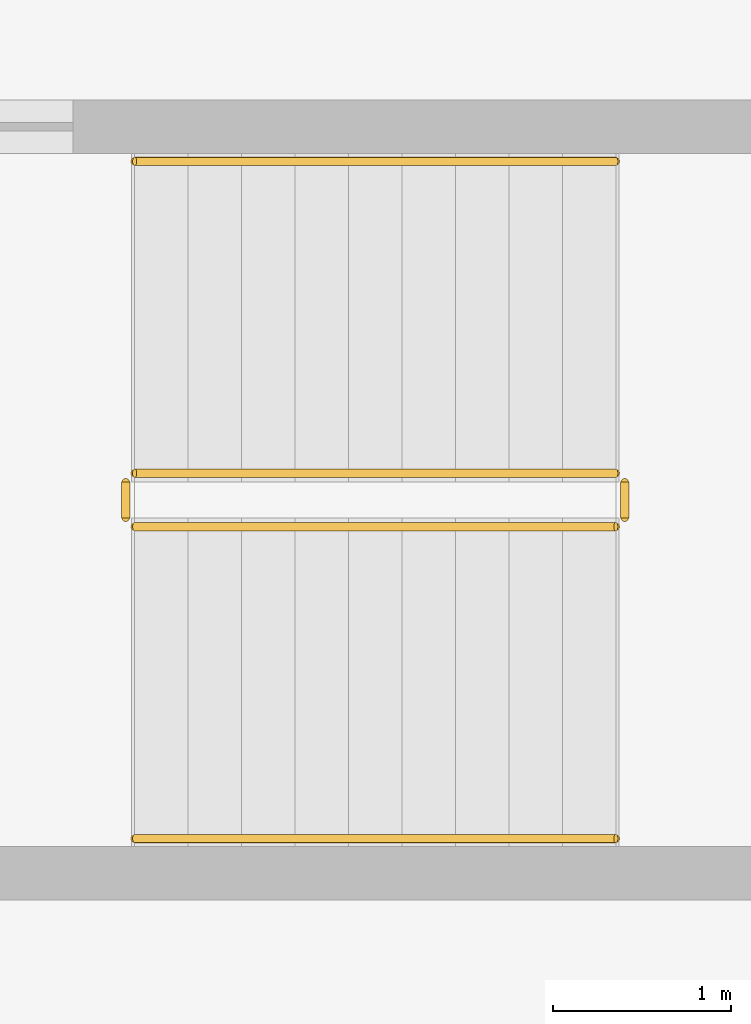
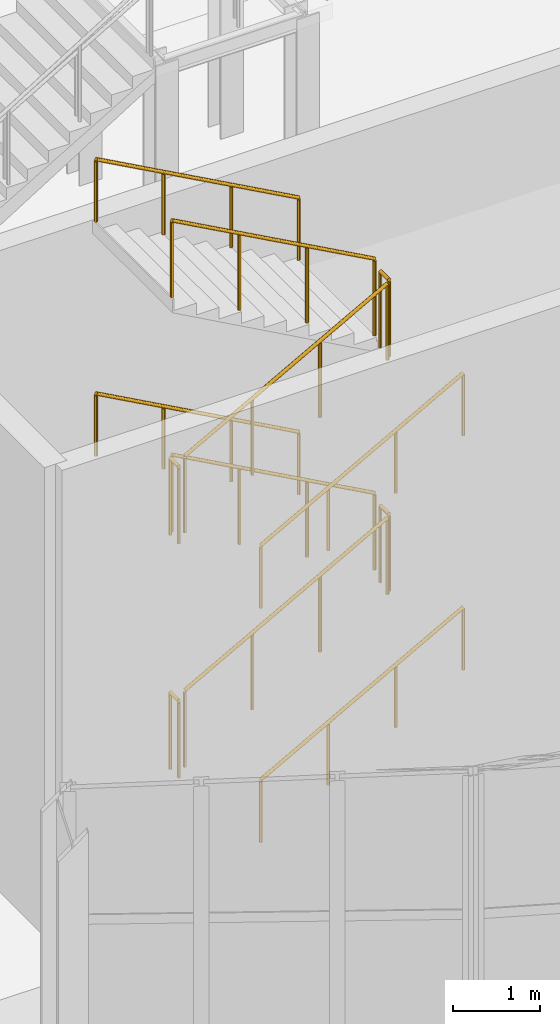
# One storey, part 100 of 115: 12 railings.
"""IFC4 building model written with IfcOpenShell, lengths in metres."""

from ifc_helpers import new_model, si_unit, direction, frame, origin, origin_2d, place, context, subcontext, project, spatial, circle, extrude, material, type_object, element, save


model = new_model("IFC4")

# Units and contexts
model_context = context("Model", 3, precision=1e-05, world=origin(), true_north=direction((0.0, 1.0)))
body_context = subcontext(model_context, "Body", "Model", "MODEL_VIEW")
ifc_project = project(units=[si_unit("LENGTHUNIT", "METRE"), si_unit("AREAUNIT", "SQUARE_METRE"), si_unit("VOLUMEUNIT", "CUBIC_METRE"), si_unit("PLANEANGLEUNIT", "RADIAN"), si_unit("MASSUNIT", "GRAM", prefix="KILO")], contexts=[model_context])

# Site, building, storey
site_placement = place(None, origin())
site = spatial("IfcSite", under=ifc_project, at=site_placement, CompositionType="ELEMENT")
building_placement = place(site_placement, origin())
building = spatial("IfcBuilding", under=site, at=building_placement, Name="Tamarisk Ironworks Central Station", CompositionType="ELEMENT")
storey_placement = place(building_placement, origin())
storey = spatial("IfcBuildingStorey", under=building, at=storey_placement, Name="L00", CompositionType="ELEMENT", Elevation=0.0)

# Railings
ifc_material = material(Name="Brushed stainless steel AISI 316", Category="steel")
railing_type_1 = type_object("IfcRailingType", Name="RL-GUARD-INT", PredefinedType="BALUSTRADE", material=ifc_material)
railing_1_placement = place(storey_placement, frame((58.199951171875, 15.300048828125, 0.1650390625)))
element("IfcRailing", 1, at=railing_1_placement, inside=storey, type_object=railing_type_1, Name="L00 ST-C8 stair guard 1", PredefinedType="BALUSTRADE", context=body_context, shape_type="SweptSolid", body=[
    extrude(circle(Radius=0.02392578125, at=origin_2d()), frame((0.0, 0.0, 1.076171875), z_axis=(0.876230963923, 0.0, 0.481891375584), x_axis=(0.0, 1.0, 0.0)), (0.0, 0.0, 1.0), 3.081298828125),
    extrude(circle(Radius=0.02099609375, at=origin_2d()), origin(), (0.0, 0.0, 1.0), 1.052001953125),
    extrude(circle(Radius=0.02099609375, at=origin_2d()), frame((0.89990234375, 0.0, 0.494873046875)), (0.0, 0.0, 1.0), 1.052001953125),
    extrude(circle(Radius=0.02099609375, at=origin_2d()), frame((1.800048828125, 0.0, 0.989990234375)), (0.0, 0.0, 1.0), 1.052001953125),
    extrude(circle(Radius=0.02099609375, at=origin_2d()), frame((2.699951171875, 0.0, 1.48486328125)), (0.0, 0.0, 1.0), 1.052001953125),
])
railing_2_placement = place(storey_placement, frame((60.949951171875, 15.35009765625, 1.64990234375)))
element("IfcRailing", 2, at=railing_2_placement, inside=storey, type_object=railing_type_1, Name="L00 ST-C8 stair guard 2", PredefinedType="BALUSTRADE", context=body_context, shape_type="SweptSolid", body=[
    extrude(circle(Radius=0.02392578125, at=origin_2d()), frame((0.0, 0.0, 1.076171875), z_axis=(0.0, 1.0, 0.0), x_axis=(-1.0, 0.0, 0.0)), (0.0, 0.0, 1.0), 0.199951171875),
    extrude(circle(Radius=0.02099609375, at=origin_2d()), origin(), (0.0, 0.0, 1.0), 1.052001953125),
    extrude(circle(Radius=0.02099609375, at=origin_2d()), frame((0.0, 0.199951171875, 0.0)), (0.0, 0.0, 1.0), 1.052001953125),
])
railing_3_placement = place(storey_placement, frame((60.89990234375, 15.60009765625, 1.81494140625)))
element("IfcRailing", 3, at=railing_3_placement, inside=storey, type_object=railing_type_1, Name="L00 ST-C8 stair guard 3", PredefinedType="BALUSTRADE", context=body_context, shape_type="SweptSolid", body=[
    extrude(circle(Radius=0.02392578125, at=origin_2d()), frame((0.0, 0.0, 1.076171875), z_axis=(-0.876197507361, 0.0, 0.481952205197), x_axis=(0.0, -1.0, 0.0)), (0.0, 0.0, 1.0), 3.08154296875),
    extrude(circle(Radius=0.02099609375, at=origin_2d()), origin(), (0.0, 0.0, 1.0), 1.052001953125),
    extrude(circle(Radius=0.02099609375, at=origin_2d()), frame((-0.89990234375, 0.0, 0.4951171875)), (0.0, 0.0, 1.0), 1.052001953125),
    extrude(circle(Radius=0.02099609375, at=origin_2d()), frame((-1.800048828125, 0.0, 0.989990234375)), (0.0, 0.0, 1.0), 1.052001953125),
    extrude(circle(Radius=0.02099609375, at=origin_2d()), frame((-2.699951171875, 0.0, 1.485107421875)), (0.0, 0.0, 1.0), 1.052001953125),
])
railing_4_placement = place(storey_placement, frame((58.14990234375, 15.35009765625, 3.300048828125)))
element("IfcRailing", 4, at=railing_4_placement, inside=storey, type_object=railing_type_1, Name="L00 ST-C8 stair guard 4", PredefinedType="BALUSTRADE", context=body_context, shape_type="SweptSolid", body=[
    extrude(circle(Radius=0.02392578125, at=origin_2d()), frame((0.0, 0.0, 1.076171875), z_axis=(0.0, 1.0, 0.0), x_axis=(-1.0, 0.0, 0.0)), (0.0, 0.0, 1.0), 0.199951171875),
    extrude(circle(Radius=0.02099609375, at=origin_2d()), origin(), (0.0, 0.0, 1.0), 1.052001953125),
    extrude(circle(Radius=0.02099609375, at=origin_2d()), frame((0.0, 0.199951171875, 0.0)), (0.0, 0.0, 1.0), 1.052001953125),
])
railing_5_placement = place(storey_placement, frame((58.199951171875, 15.300048828125, 3.465087890625)))
element("IfcRailing", 5, at=railing_5_placement, inside=storey, type_object=railing_type_1, Name="L00 ST-C8 stair guard 5", PredefinedType="BALUSTRADE", context=body_context, shape_type="SweptSolid", body=[
    extrude(circle(Radius=0.02392578125, at=origin_2d()), frame((0.0, 0.0, 1.076171875), z_axis=(0.876230963923, 0.0, 0.481891375584), x_axis=(0.0, 1.0, 0.0)), (0.0, 0.0, 1.0), 3.081298828125),
    extrude(circle(Radius=0.02099609375, at=origin_2d()), origin(), (0.0, 0.0, 1.0), 1.052001953125),
    extrude(circle(Radius=0.02099609375, at=origin_2d()), frame((0.89990234375, 0.0, 0.494873046875)), (0.0, 0.0, 1.0), 1.052001953125),
    extrude(circle(Radius=0.02099609375, at=origin_2d()), frame((1.800048828125, 0.0, 0.989990234375)), (0.0, 0.0, 1.0), 1.052001953125),
    extrude(circle(Radius=0.02099609375, at=origin_2d()), frame((2.699951171875, 0.0, 1.48486328125)), (0.0, 0.0, 1.0), 1.052001953125),
])
railing_6_placement = place(storey_placement, frame((60.949951171875, 15.35009765625, 4.949951171875)))
element("IfcRailing", 6, at=railing_6_placement, inside=storey, type_object=railing_type_1, Name="L00 ST-C8 stair guard 6", PredefinedType="BALUSTRADE", context=body_context, shape_type="SweptSolid", body=[
    extrude(circle(Radius=0.02392578125, at=origin_2d()), frame((0.0, 0.0, 1.076171875), z_axis=(0.0, 1.0, 0.0), x_axis=(-1.0, 0.0, 0.0)), (0.0, 0.0, 1.0), 0.199951171875),
    extrude(circle(Radius=0.02099609375, at=origin_2d()), origin(), (0.0, 0.0, 1.0), 1.052001953125),
    extrude(circle(Radius=0.02099609375, at=origin_2d()), frame((0.0, 0.199951171875, 0.0)), (0.0, 0.0, 1.0), 1.052001953125),
])
railing_7_placement = place(storey_placement, frame((60.89990234375, 15.60009765625, 5.114990234375)))
element("IfcRailing", 7, at=railing_7_placement, inside=storey, type_object=railing_type_1, Name="L00 ST-C8 stair guard 7", PredefinedType="BALUSTRADE", context=body_context, shape_type="SweptSolid", body=[
    extrude(circle(Radius=0.02392578125, at=origin_2d()), frame((0.0, 0.0, 1.076171875), z_axis=(-0.876197507361, 0.0, 0.481952205197), x_axis=(0.0, -1.0, 0.0)), (0.0, 0.0, 1.0), 3.08154296875),
    extrude(circle(Radius=0.02099609375, at=origin_2d()), origin(), (0.0, 0.0, 1.0), 1.052001953125),
    extrude(circle(Radius=0.02099609375, at=origin_2d()), frame((-0.89990234375, 0.0, 0.4951171875)), (0.0, 0.0, 1.0), 1.052001953125),
    extrude(circle(Radius=0.02099609375, at=origin_2d()), frame((-1.800048828125, 0.0, 0.989990234375)), (0.0, 0.0, 1.0), 1.052001953125),
    extrude(circle(Radius=0.02099609375, at=origin_2d()), frame((-2.699951171875, 0.0, 1.485107421875)), (0.0, 0.0, 1.0), 1.052001953125),
])
railing_8_placement = place(storey_placement, frame((58.14990234375, 15.35009765625, 0.0)))
element("IfcRailing", 8, at=railing_8_placement, inside=storey, type_object=railing_type_1, Name="L00 ST-C8 stair guard 8", PredefinedType="BALUSTRADE", context=body_context, shape_type="SweptSolid", body=[
    extrude(circle(Radius=0.02392578125, at=origin_2d()), frame((0.0, 0.0, 1.076171875), z_axis=(0.0, 1.0, 0.0), x_axis=(-1.0, 0.0, 0.0)), (0.0, 0.0, 1.0), 0.199951171875),
    extrude(circle(Radius=0.02099609375, at=origin_2d()), origin(), (0.0, 0.0, 1.0), 1.052001953125),
    extrude(circle(Radius=0.02099609375, at=origin_2d()), frame((0.0, 0.199951171875, 0.0)), (0.0, 0.0, 1.0), 1.052001953125),
])
railing_type_2 = type_object("IfcRailingType", Name="RL-HAND", PredefinedType="HANDRAIL", material=ifc_material)
railing_9_placement = place(storey_placement, frame((58.199951171875, 13.550048828125, 0.1650390625)))
element("IfcRailing", 9, at=railing_9_placement, inside=storey, type_object=railing_type_2, Name="L00 ST-C8 stair handrail 1", PredefinedType="HANDRAIL", context=body_context, shape_type="SweptSolid", body=[
    extrude(circle(Radius=0.02392578125, at=origin_2d()), frame((0.0, 0.0, 0.8759765625), z_axis=(0.876230963923, 0.0, 0.481891375584), x_axis=(0.0, 1.0, 0.0)), (0.0, 0.0, 1.0), 3.081298828125),
    extrude(circle(Radius=0.02099609375, at=origin_2d()), origin(), (0.0, 0.0, 1.0), 0.851806640625),
    extrude(circle(Radius=0.02099609375, at=origin_2d()), frame((0.89990234375, 0.0, 0.494873046875)), (0.0, 0.0, 1.0), 0.851806640625),
    extrude(circle(Radius=0.02099609375, at=origin_2d()), frame((1.800048828125, 0.0, 0.989990234375)), (0.0, 0.0, 1.0), 0.851806640625),
    extrude(circle(Radius=0.02099609375, at=origin_2d()), frame((2.699951171875, 0.0, 1.48486328125)), (0.0, 0.0, 1.0), 0.851806640625),
])
railing_10_placement = place(storey_placement, frame((60.89990234375, 17.35009765625, 1.81494140625)))
element("IfcRailing", 10, at=railing_10_placement, inside=storey, type_object=railing_type_2, Name="L00 ST-C8 stair handrail 2", PredefinedType="HANDRAIL", context=body_context, shape_type="SweptSolid", body=[
    extrude(circle(Radius=0.02392578125, at=origin_2d()), frame((0.0, 0.0, 0.8759765625), z_axis=(-0.876197507361, 0.0, 0.481952205197), x_axis=(0.0, -1.0, 0.0)), (0.0, 0.0, 1.0), 3.08154296875),
    extrude(circle(Radius=0.02099609375, at=origin_2d()), origin(), (0.0, 0.0, 1.0), 0.851806640625),
    extrude(circle(Radius=0.02099609375, at=origin_2d()), frame((-0.89990234375, 0.0, 0.4951171875)), (0.0, 0.0, 1.0), 0.851806640625),
    extrude(circle(Radius=0.02099609375, at=origin_2d()), frame((-1.800048828125, 0.0, 0.989990234375)), (0.0, 0.0, 1.0), 0.851806640625),
    extrude(circle(Radius=0.02099609375, at=origin_2d()), frame((-2.699951171875, 0.0, 1.485107421875)), (0.0, 0.0, 1.0), 0.851806640625),
])
railing_11_placement = place(storey_placement, frame((58.199951171875, 13.550048828125, 3.465087890625)))
element("IfcRailing", 11, at=railing_11_placement, inside=storey, type_object=railing_type_2, Name="L00 ST-C8 stair handrail 3", PredefinedType="HANDRAIL", context=body_context, shape_type="SweptSolid", body=[
    extrude(circle(Radius=0.02392578125, at=origin_2d()), frame((0.0, 0.0, 0.8759765625), z_axis=(0.876230963923, 0.0, 0.481891375584), x_axis=(0.0, 1.0, 0.0)), (0.0, 0.0, 1.0), 3.081298828125),
    extrude(circle(Radius=0.02099609375, at=origin_2d()), origin(), (0.0, 0.0, 1.0), 0.851806640625),
    extrude(circle(Radius=0.02099609375, at=origin_2d()), frame((0.89990234375, 0.0, 0.494873046875)), (0.0, 0.0, 1.0), 0.851806640625),
    extrude(circle(Radius=0.02099609375, at=origin_2d()), frame((1.800048828125, 0.0, 0.989990234375)), (0.0, 0.0, 1.0), 0.851806640625),
    extrude(circle(Radius=0.02099609375, at=origin_2d()), frame((2.699951171875, 0.0, 1.48486328125)), (0.0, 0.0, 1.0), 0.851806640625),
])
railing_12_placement = place(storey_placement, frame((60.89990234375, 17.35009765625, 5.114990234375)))
element("IfcRailing", 12, at=railing_12_placement, inside=storey, type_object=railing_type_2, Name="L00 ST-C8 stair handrail 4", PredefinedType="HANDRAIL", context=body_context, shape_type="SweptSolid", body=[
    extrude(circle(Radius=0.02392578125, at=origin_2d()), frame((0.0, 0.0, 0.8759765625), z_axis=(-0.876197507361, 0.0, 0.481952205197), x_axis=(0.0, -1.0, 0.0)), (0.0, 0.0, 1.0), 3.08154296875),
    extrude(circle(Radius=0.02099609375, at=origin_2d()), origin(), (0.0, 0.0, 1.0), 0.851806640625),
    extrude(circle(Radius=0.02099609375, at=origin_2d()), frame((-0.89990234375, 0.0, 0.4951171875)), (0.0, 0.0, 1.0), 0.851806640625),
    extrude(circle(Radius=0.02099609375, at=origin_2d()), frame((-1.800048828125, 0.0, 0.989990234375)), (0.0, 0.0, 1.0), 0.851806640625),
    extrude(circle(Radius=0.02099609375, at=origin_2d()), frame((-2.699951171875, 0.0, 1.485107421875)), (0.0, 0.0, 1.0), 0.851806640625),
])

save(model, "model.ifc")
